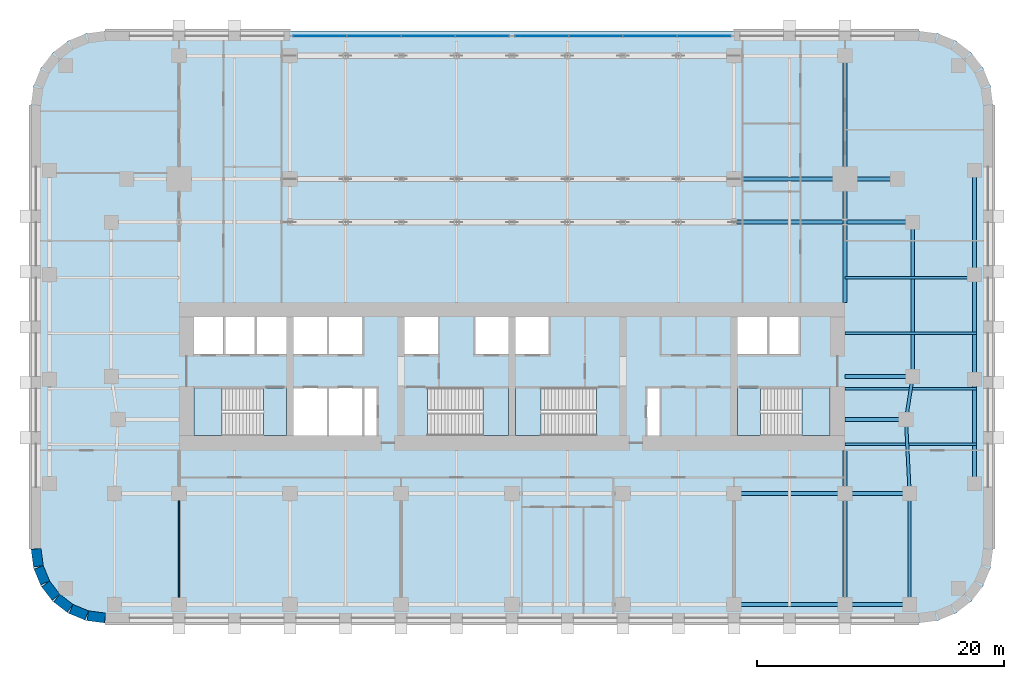
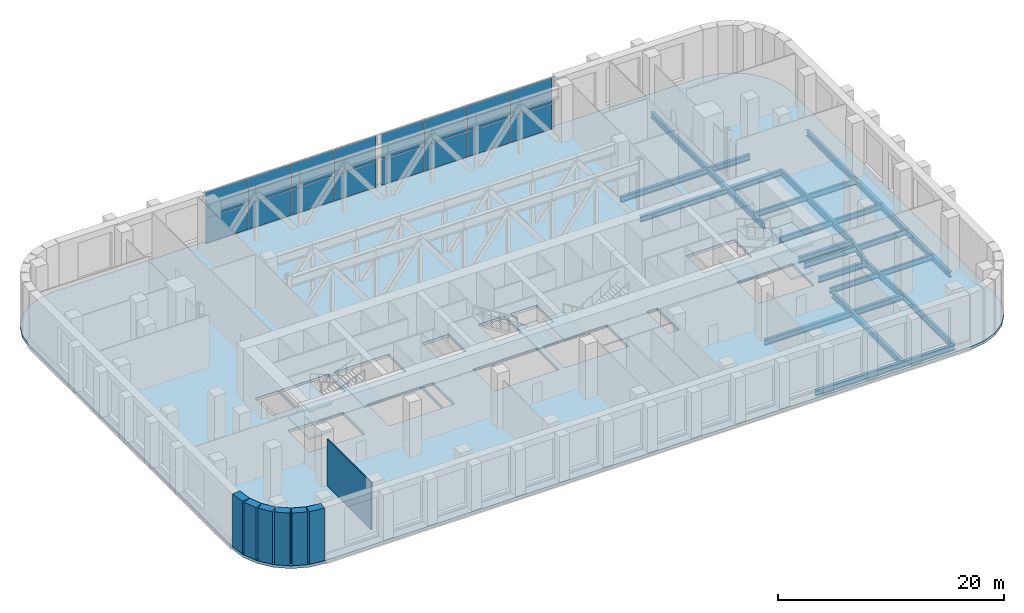
# One storey, part 4 of 13: 19 beams, 16 plates, 9 slabs, 7 walls, 6 elements without a shape of their own.
"""IFC4 building model written with IfcOpenShell, lengths in metres."""

import ifcopenshell
import ifcopenshell.guid

model = None  # the IFC model being written
_history = None  # IfcOwnerHistory: only IFC2X3 demands one
_inside = {}  # id of a spatial element -> (the spatial element, [elements in it])
_under = {}  # id of a project, library or spatial element -> (it, [spatial elements below it])
_declared = {}  # id of a project -> (the project, [libraries it declares])
_typed = {}  # id of a type object -> (the type object, [elements of that type])
_made_of = {}  # id of a material, layer set ... -> (it, [elements and type objects made of it])


def new_model(schema):
    """Start an empty IFC model of exactly this schema.

    Asked for "IFC4X3", IfcOpenShell would pick the latest addendum, in which some entities
    have other attributes; the version numbers below select the first issue.
    IFC2X3 requires an IfcOwnerHistory on every rooted entity: one is made here for all.
    """
    global model, _history
    if schema == "IFC4X3":
        model = ifcopenshell.file(schema_version=(4, 3, 0, 0))
    else:
        model = ifcopenshell.file(schema=schema)
    _inside.clear()
    _under.clear()
    _declared.clear()
    _typed.clear()
    _made_of.clear()
    _history = None
    if model.schema == "IFC2X3":
        org = make("IfcOrganization", Name="unknown")
        user = make(
            "IfcPersonAndOrganization",
            ThePerson=make("IfcPerson", FamilyName="unknown"),
            TheOrganization=org,
        )
        app = make(
            "IfcApplication",
            ApplicationDeveloper=org,
            Version="unknown",
            ApplicationFullName="unknown",
            ApplicationIdentifier="unknown",
        )
        _history = make(
            "IfcOwnerHistory",
            OwningUser=user,
            OwningApplication=app,
            ChangeAction="ADDED",
            CreationDate=0,
        )
    return model


def make(cls, **values):
    """One entity of the class cls with the attributes given. An attribute that is None is left unset."""
    return model.create_entity(
        cls, **{name: value for name, value in values.items() if value is not None}
    )


def rooted(cls, **values):
    """An entity with a GlobalId (a new one), such as an element, a storey or a relation."""
    return make(cls, GlobalId=ifcopenshell.guid.new(), OwnerHistory=_history, **values)


def si_unit(unit_type, name, prefix=None):
    """IfcSIUnit, for example si_unit("LENGTHUNIT", "METRE", prefix="MILLI")."""
    return make("IfcSIUnit", UnitType=unit_type, Prefix=prefix, Name=name)


def assignment(units):
    """IfcUnitAssignment: the units of a project."""
    return None if units is None else make("IfcUnitAssignment", Units=units)


def point(xyz):
    """IfcCartesianPoint."""
    return None if xyz is None else make("IfcCartesianPoint", Coordinates=xyz)


def direction(xyz):
    """IfcDirection."""
    return None if xyz is None else make("IfcDirection", DirectionRatios=xyz)


def frame(location, z_axis=None, x_axis=None):
    """IfcAxis2Placement3D, a coordinate frame: its origin and axes. An axis left out is left unset."""
    return make(
        "IfcAxis2Placement3D",
        Location=point(location),
        Axis=direction(z_axis),
        RefDirection=direction(x_axis),
    )


def frame_2d(location, x_axis=None):
    """IfcAxis2Placement2D, a coordinate frame in the plane: its origin and x axis."""
    return make(
        "IfcAxis2Placement2D", Location=point(location), RefDirection=direction(x_axis)
    )


def origin():
    """The frame at (0, 0, 0) with its axes left unset."""
    return frame((0.0, 0.0, 0.0))


def origin_2d():
    """The frame at (0, 0) in the plane with its x axis left unset."""
    return frame_2d((0.0, 0.0))


def place(relative_to, where):
    """IfcLocalPlacement: puts the frame where relative to a parent placement (None: the world)."""
    return make(
        "IfcLocalPlacement", PlacementRelTo=relative_to, RelativePlacement=where
    )


def context(
    kind, dimensions, precision=None, world=None, true_north=None, identifier=None
):
    """IfcGeometricRepresentationContext, for example the 3D "Model" context."""
    return make(
        "IfcGeometricRepresentationContext",
        ContextIdentifier=identifier,
        ContextType=kind,
        CoordinateSpaceDimension=dimensions,
        Precision=precision,
        WorldCoordinateSystem=world,
        TrueNorth=true_north,
    )


def subcontext(parent, identifier, kind, view, scale=None):
    """IfcGeometricRepresentationSubContext, for example "Body" below "Model"."""
    return make(
        "IfcGeometricRepresentationSubContext",
        ContextIdentifier=identifier,
        ContextType=kind,
        ParentContext=parent,
        TargetScale=scale,
        TargetView=view,
    )


def project(units=None, contexts=None):
    """IfcProject with its units and contexts."""
    return rooted(
        "IfcProject",
        Name="project",
        RepresentationContexts=contexts,
        UnitsInContext=assignment(units),
    )


def spatial(cls, under=None, at=None, **own):
    """A site, building, storey or space (cls), placed at a placement, below another one or the project."""
    s = rooted(cls, ObjectPlacement=at, **own)
    if under is not None:
        _under.setdefault(under.id(), (under, []))[1].append(s)
    return s


def polyline(points):
    """IfcPolyline through the points."""
    return make("IfcPolyline", Points=[point(p) for p in points])


def profile(cls, at=None, kind="AREA", **sizes):
    """A parametric profile (cls). Its sizes go by their IFC names, for example OverallWidth=200.0."""
    return make(cls, ProfileType=kind, Position=at, **sizes)


def rectangle(**sizes):
    """IfcRectangleProfileDef."""
    return profile("IfcRectangleProfileDef", **sizes)


def i_section(**sizes):
    """IfcIShapeProfileDef."""
    return profile("IfcIShapeProfileDef", **sizes)


def outline(outer, holes=None, kind="AREA"):
    """IfcArbitraryClosedProfileDef: a profile drawn as a closed curve; with holes, ...WithVoids."""
    if holes is None:
        return make("IfcArbitraryClosedProfileDef", ProfileType=kind, OuterCurve=outer)
    return make(
        "IfcArbitraryProfileDefWithVoids",
        ProfileType=kind,
        OuterCurve=outer,
        InnerCurves=holes,
    )


def extrude(swept, where, along, depth):
    """IfcExtrudedAreaSolid: the profile swept, set in the frame where, extruded along a direction by depth."""
    return make(
        "IfcExtrudedAreaSolid",
        SweptArea=swept,
        Position=where,
        ExtrudedDirection=direction(along),
        Depth=depth,
    )


def shape(context_of_items, identifier, shape_type, items):
    """IfcShapeRepresentation: the items that make up one representation, for example the "Body"."""
    return make(
        "IfcShapeRepresentation",
        ContextOfItems=context_of_items,
        RepresentationIdentifier=identifier,
        RepresentationType=shape_type,
        Items=items,
    )


def material(Name=None, Category=None):
    """IfcMaterial."""
    return make("IfcMaterial", Name=Name, Category=Category)


def layer(
    of_material, thickness, ventilated=None, Name=None, Category=None, Priority=None
):
    """IfcMaterialLayer: one layer of a wall or slab, of a material (None: an air gap)."""
    return make(
        "IfcMaterialLayer",
        Material=of_material,
        LayerThickness=thickness,
        IsVentilated=ventilated,
        Name=Name,
        Category=Category,
        Priority=Priority,
    )


def layer_set(layers, Name=None):
    """IfcMaterialLayerSet."""
    return make("IfcMaterialLayerSet", MaterialLayers=layers, LayerSetName=Name)


def material_profile(
    of_material, cross_section, Name=None, Category=None, Priority=None
):
    """IfcMaterialProfile: a cross section and its material."""
    return make(
        "IfcMaterialProfile",
        Name=Name,
        Material=of_material,
        Profile=cross_section,
        Priority=Priority,
        Category=Category,
    )


def profile_set(profiles, Name=None, composite=None):
    """IfcMaterialProfileSet."""
    return make(
        "IfcMaterialProfileSet",
        Name=Name,
        MaterialProfiles=profiles,
        CompositeProfile=composite,
    )


def made_of(thing, what):
    """Note that an element or type object is made of a material, layer set ...; save() writes the relation."""
    if what is not None:
        _made_of.setdefault(what.id(), (what, []))[1].append(thing)
    return thing


def type_object(cls, material=None, **own):
    """A type object (cls), such as IfcWallType, which elements share."""
    return made_of(rooted(cls, **own), material)


def element(
    cls,
    number,
    at=None,
    inside=None,
    cuts=None,
    type_object=None,
    material=None,
    context=None,
    identifier="Body",
    shape_type=None,
    held_by="IfcProductDefinitionShape",
    body=None,
    shapes=None,
    **own,
):
    """One element of the class cls, such as IfcWall. Its Tag is "e" and its number.

    at: its placement. inside: the storey or other place that contains it. cuts: it is an
    opening in that element (IfcRelVoidsElement). A single representation is given by context,
    identifier, shape_type and body (its items); several are given by shapes. held_by: the class
    of the entity that holds the representations. save() writes the other relations.
    """
    e = rooted(cls, Tag="e%d" % number, ObjectPlacement=at, **own)
    if body is not None:
        shapes = [shape(context, identifier, shape_type, body)]
    if shapes is not None:
        e.Representation = make(held_by, Representations=shapes)
    if inside is not None:
        _inside.setdefault(inside.id(), (inside, []))[1].append(e)
    if cuts is not None:
        rooted(
            "IfcRelVoidsElement", RelatingBuildingElement=cuts, RelatedOpeningElement=e
        )
    if type_object is not None:
        _typed.setdefault(type_object.id(), (type_object, []))[1].append(e)
    return made_of(e, material)


def aggregate(whole, parts):
    """IfcRelAggregates: a whole, such as a stair, and the parts it consists of."""
    return rooted("IfcRelAggregates", RelatingObject=whole, RelatedObjects=parts)


def save(model, path):
    """Write the relations noted so far, then the file.

    IfcRelAggregates (storeys below a building ...), IfcRelContainedInSpatialStructure (elements
    in a storey), IfcRelDefinesByType, IfcRelAssociatesMaterial and IfcRelDeclares: one each for
    every whole, place, type object, material and project.
    """
    for whole, parts in _under.values():
        aggregate(whole, parts)
    for where, things in _inside.values():
        rooted(
            "IfcRelContainedInSpatialStructure",
            RelatedElements=things,
            RelatingStructure=where,
        )
    for kind, things in _typed.values():
        rooted("IfcRelDefinesByType", RelatedObjects=things, RelatingType=kind)
    for what, things in _made_of.values():
        rooted("IfcRelAssociatesMaterial", RelatedObjects=things, RelatingMaterial=what)
    for by, libraries in _declared.values():
        rooted("IfcRelDeclares", RelatingContext=by, RelatedDefinitions=libraries)
    model.write(path)


model = new_model("IFC4")

# Units and contexts
model_context = context("Model", 3, precision=1e-05, world=origin(), true_north=direction((0.0, 1.0)))
body_context = subcontext(model_context, "Body", "Model", "MODEL_VIEW")
ifc_project = project(units=[si_unit("LENGTHUNIT", "METRE"), si_unit("AREAUNIT", "SQUARE_METRE"), si_unit("VOLUMEUNIT", "CUBIC_METRE"), si_unit("PLANEANGLEUNIT", "RADIAN"), si_unit("MASSUNIT", "GRAM", prefix="KILO")], contexts=[model_context])

# Site, building, storey
site_placement = place(None, origin())
site = spatial("IfcSite", under=ifc_project, at=site_placement, CompositionType="ELEMENT")
building_placement = place(site_placement, origin())
building = spatial("IfcBuilding", under=site, at=building_placement, Name="Zellij Exchange Tower", CompositionType="ELEMENT")
storey_placement = place(building_placement, frame((0.0, 0.0, 27.0)))
storey = spatial("IfcBuildingStorey", under=building, at=storey_placement, Name="L04", CompositionType="ELEMENT", Elevation=27.0)

# Beams
ifc_material_1 = material(Name="Structural steel ASTM A992 Gr 50", Category="steel")
ifc_material_profile_1 = material_profile(ifc_material_1, i_section(OverallWidth=0.22900390625, OverallDepth=0.612060546875, WebThickness=0.011962890625, FlangeThickness=0.01953125, at=origin_2d()), Name="W24x84")
ifc_profile_set_1 = profile_set([ifc_material_profile_1], Name="Structural steel ASTM A992 Gr 50")
beam_type_1 = type_object("IfcBeamType", Name="STR-BEAM W24x84", PredefinedType="BEAM", material=ifc_profile_set_1)
for number, where, z_axis, x_axis, name in (
    (1, (27.0, -13.5, -0.606201171875), (1.0, 0.0, 0.0), (0.0, 1.0, 0.0), "B6"),
    (2, (27.0, -9.0, -0.606201171875), (1.0, 0.0, 0.0), (0.0, 1.0, 0.0), "B6"),
    (3, (27.0, -4.5, -0.606201171875), (1.0, 0.0, 0.0), (0.0, 1.0, 0.0), "B6"),
    (4, (27.0, 0.0, -0.606201171875), (1.0, 0.0, 0.0), (0.0, 1.0, 0.0), "B6"),
):
    element("IfcBeam", number, at=place(storey_placement, frame(where, z_axis=z_axis, x_axis=x_axis)), inside=storey, type_object=beam_type_1, Name=name, PredefinedType="BEAM", context=body_context, shape_type="SweptSolid", body=[
        extrude(i_section(OverallWidth=0.22900390625, OverallDepth=0.612060546875, WebThickness=0.011962890625, FlangeThickness=0.01953125, at=origin_2d()), origin(), (0.0, 0.0, 1.0), 10.66259765625),
    ])
ifc_material_profile_2 = material_profile(ifc_material_1, i_section(OverallWidth=0.25390625, OverallDepth=0.67822265625, WebThickness=0.01171875, FlangeThickness=0.016357421875, at=origin_2d()), Name="W27x84")
ifc_profile_set_2 = profile_set([ifc_material_profile_2], Name="Structural steel ASTM A992 Gr 50")
beam_type_2 = type_object("IfcBeamType", Name="STR-EDGE GIRDER W27x84", PredefinedType="BEAM", material=ifc_profile_set_2)
beam_1_placement = place(storey_placement, frame((32.25, -26.5, -0.63916015625), z_axis=(0.0, 1.0, 0.0), x_axis=(-1.0, 0.0, 0.0)))
element("IfcBeam", 5, at=beam_1_placement, inside=storey, type_object=beam_type_2, Name="EB7", PredefinedType="BEAM", context=body_context, shape_type="SweptSolid", body=[
    extrude(i_section(OverallWidth=0.25390625, OverallDepth=0.67822265625, WebThickness=0.01171875, FlangeThickness=0.016357421875, at=origin_2d()), origin(), (0.0, 0.0, 1.0), 9.0),
])
beam_2_placement = place(storey_placement, frame((32.25, -17.5, -0.63916015625), z_axis=(-0.049945724537, 0.998751933465, 0.0), x_axis=(-0.998751933465, -0.049945724537, 0.0)))
element("IfcBeam", 6, at=beam_2_placement, inside=storey, type_object=beam_type_2, Name="EB7", PredefinedType="BEAM", context=body_context, shape_type="SweptSolid", body=[
    extrude(i_section(OverallWidth=0.25390625, OverallDepth=0.67822265625, WebThickness=0.01171875, FlangeThickness=0.016357421875, at=origin_2d()), origin(), (0.0, 0.0, 1.0), 6.007568359375),
])
beam_3_placement = place(storey_placement, frame((31.949951171875, -11.5, -0.63916015625), z_axis=(0.155251283593, 0.987875011802, 0.0), x_axis=(-0.987875011802, 0.155251283593, 0.0)))
element("IfcBeam", 7, at=beam_3_placement, inside=storey, type_object=beam_type_2, Name="EB7", PredefinedType="BEAM", context=body_context, shape_type="SweptSolid", body=[
    extrude(i_section(OverallWidth=0.25390625, OverallDepth=0.67822265625, WebThickness=0.01171875, FlangeThickness=0.016357421875, at=origin_2d()), origin(), (0.0, 0.0, 1.0), 3.54296875),
])
beam_4_placement = place(storey_placement, frame((32.5, -8.0, -0.63916015625), z_axis=(0.0, 1.0, 0.0), x_axis=(-1.0, 0.0, 0.0)))
element("IfcBeam", 8, at=beam_4_placement, inside=storey, type_object=beam_type_2, Name="EB7", PredefinedType="BEAM", context=body_context, shape_type="SweptSolid", body=[
    extrude(i_section(OverallWidth=0.25390625, OverallDepth=0.67822265625, WebThickness=0.01171875, FlangeThickness=0.016357421875, at=origin_2d()), origin(), (0.0, 0.0, 1.0), 12.5),
])
ifc_material_profile_3 = material_profile(ifc_material_1, i_section(OverallWidth=0.3251953125, OverallDepth=0.612060546875, WebThickness=0.0126953125, FlangeThickness=0.01904296875, at=origin_2d()), Name="W24x104")
ifc_profile_set_3 = profile_set([ifc_material_profile_3], Name="Structural steel ASTM A992 Gr 50")
beam_type_3 = type_object("IfcBeamType", Name="STR-GIRDER W24x104", PredefinedType="BEAM", material=ifc_profile_set_3)
for number, where, z_axis, x_axis, name in (
    (9, (18.0, -26.5, -0.606201171875), (1.0, 0.0, 0.0), (0.0, 1.0, 0.0), "G3"),
    (10, (18.0, -17.5, -0.606201171875), (1.0, 0.0, 0.0), (0.0, 1.0, 0.0), "G3"),
):
    element("IfcBeam", number, at=place(storey_placement, frame(where, z_axis=z_axis, x_axis=x_axis)), inside=storey, type_object=beam_type_3, Name=name, PredefinedType="BEAM", context=body_context, shape_type="SweptSolid", body=[
        extrude(i_section(OverallWidth=0.3251953125, OverallDepth=0.612060546875, WebThickness=0.0126953125, FlangeThickness=0.01904296875, at=origin_2d()), origin(), (0.0, 0.0, 1.0), 14.25),
    ])
beam_5_placement = place(storey_placement, frame((27.0, -11.5, -0.606201171875), z_axis=(1.0, 0.0, 0.0), x_axis=(0.0, 1.0, 0.0)))
element("IfcBeam", 11, at=beam_5_placement, inside=storey, type_object=beam_type_3, Name="G3", PredefinedType="BEAM", context=body_context, shape_type="SweptSolid", body=[
    extrude(i_section(OverallWidth=0.3251953125, OverallDepth=0.612060546875, WebThickness=0.0126953125, FlangeThickness=0.01904296875, at=origin_2d()), origin(), (0.0, 0.0, 1.0), 4.949951171875),
])
beam_6_placement = place(storey_placement, frame((27.0, -8.0, -0.606201171875), z_axis=(1.0, 0.0, 0.0), x_axis=(0.0, 1.0, 0.0)))
element("IfcBeam", 12, at=beam_6_placement, inside=storey, type_object=beam_type_3, Name="G3", PredefinedType="BEAM", context=body_context, shape_type="SweptSolid", body=[
    extrude(i_section(OverallWidth=0.3251953125, OverallDepth=0.612060546875, WebThickness=0.0126953125, FlangeThickness=0.01904296875, at=origin_2d()), origin(), (0.0, 0.0, 1.0), 5.5),
])
beam_7_placement = place(storey_placement, frame((18.0, 4.5, -0.606201171875), z_axis=(1.0, 0.0, 0.0), x_axis=(0.0, 1.0, 0.0)))
element("IfcBeam", 13, at=beam_7_placement, inside=storey, type_object=beam_type_3, Name="G3", PredefinedType="BEAM", context=body_context, shape_type="SweptSolid", body=[
    extrude(i_section(OverallWidth=0.3251953125, OverallDepth=0.612060546875, WebThickness=0.0126953125, FlangeThickness=0.01904296875, at=origin_2d()), origin(), (0.0, 0.0, 1.0), 14.5),
])
beam_8_placement = place(storey_placement, frame((18.0, 8.0, -0.606201171875), z_axis=(1.0, 0.0, 0.0), x_axis=(0.0, 1.0, 0.0)))
element("IfcBeam", 14, at=beam_8_placement, inside=storey, type_object=beam_type_3, Name="G3", PredefinedType="BEAM", context=body_context, shape_type="SweptSolid", body=[
    extrude(i_section(OverallWidth=0.3251953125, OverallDepth=0.612060546875, WebThickness=0.0126953125, FlangeThickness=0.01904296875, at=origin_2d()), origin(), (0.0, 0.0, 1.0), 13.25),
])
beam_9_placement = place(storey_placement, frame((27.0, -26.5, -0.606201171875), z_axis=(0.0, 1.0, 0.0), x_axis=(-1.0, 0.0, 0.0)))
element("IfcBeam", 15, at=beam_9_placement, inside=storey, type_object=beam_type_3, Name="G3", PredefinedType="BEAM", context=body_context, shape_type="SweptSolid", body=[
    extrude(i_section(OverallWidth=0.3251953125, OverallDepth=0.612060546875, WebThickness=0.0126953125, FlangeThickness=0.01904296875, at=origin_2d()), origin(), (0.0, 0.0, 1.0), 12.5),
])
for number, where, z_axis, x_axis, name in (
    (16, (27.0, -2.0, -0.606201171875), (0.0, 1.0, 0.0), (-1.0, 0.0, 0.0), "G3"),
    (17, (27.0, 8.0, -0.606201171875), (0.0, 1.0, 0.0), (-1.0, 0.0, 0.0), "G3"),
):
    element("IfcBeam", number, at=place(storey_placement, frame(where, z_axis=z_axis, x_axis=x_axis)), inside=storey, type_object=beam_type_3, Name=name, PredefinedType="BEAM", context=body_context, shape_type="SweptSolid", body=[
        extrude(i_section(OverallWidth=0.3251953125, OverallDepth=0.612060546875, WebThickness=0.0126953125, FlangeThickness=0.01904296875, at=origin_2d()), origin(), (0.0, 0.0, 1.0), 10.0),
    ])
beam_10_placement = place(storey_placement, frame((37.5, -16.708984375, -0.606201171875), z_axis=(0.0, 1.0, 0.0), x_axis=(-1.0, 0.0, 0.0)))
element("IfcBeam", 18, at=beam_10_placement, inside=storey, type_object=beam_type_3, Name="G3", PredefinedType="BEAM", context=body_context, shape_type="SweptSolid", body=[
    extrude(i_section(OverallWidth=0.3251953125, OverallDepth=0.612060546875, WebThickness=0.0126953125, FlangeThickness=0.01904296875, at=origin_2d()), origin(), (0.0, 0.0, 1.0), 16.945068359375),
])
beam_11_placement = place(storey_placement, frame((37.5, 0.236083984375, -0.606201171875), z_axis=(0.0, 1.0, 0.0), x_axis=(-1.0, 0.0, 0.0)))
element("IfcBeam", 19, at=beam_11_placement, inside=storey, type_object=beam_type_3, Name="G3", PredefinedType="BEAM", context=body_context, shape_type="SweptSolid", body=[
    extrude(i_section(OverallWidth=0.3251953125, OverallDepth=0.612060546875, WebThickness=0.0126953125, FlangeThickness=0.01904296875, at=origin_2d()), origin(), (0.0, 0.0, 1.0), 8.472900390625),
])

# Stair, slabs
ifc_material_2 = material(Name="Concrete C40/50", Category="concrete")
stair_type = type_object("IfcStairType", Name="CORE-ST exit stair 1850 wide", PredefinedType="HALF_TURN_STAIR", material=ifc_material_2)
stair_1_placement = place(storey_placement, origin())
stair_1 = element("IfcStair", 20, at=stair_1_placement, inside=storey, type_object=stair_type, Name="L04 exit stair ST1", PredefinedType="HALF_TURN_STAIR")
ifc_layer_1 = layer(ifc_material_2, 0.199951171875)
ifc_layer_set_1 = layer_set([ifc_layer_1], Name="Concrete C40/50")
slab_type_1 = type_object("IfcSlabType", Name="CORE-SL stair landing 200", PredefinedType="LANDING", material=ifc_layer_set_1)
slab_1_placement = place(storey_placement, frame((0.0, 0.0, 1.300048828125)))
slab_1 = element("IfcSlab", 21, at=slab_1_placement, type_object=slab_type_1, Name="ST1 landing 1", PredefinedType="LANDING", context=body_context, shape_type="SweptSolid", body=[
    extrude(outline(polyline([(-23.510009765625, -8.949951171875), (-25.800048828125, -8.949951171875), (-25.800048828125, -12.800048828125), (-23.510009765625, -12.800048828125), (-23.510009765625, -8.949951171875)])), origin(), (0.0, 0.0, 1.0), 0.199951171875),
])
slab_2_placement = place(storey_placement, frame((0.0, 0.0, 2.800048828125)))
slab_2 = element("IfcSlab", 22, at=slab_2_placement, type_object=slab_type_1, Name="ST1 landing 2", PredefinedType="LANDING", context=body_context, shape_type="SweptSolid", body=[
    extrude(outline(polyline([(-18.300048828125, -8.949951171875), (-20.14990234375, -8.949951171875), (-20.14990234375, -12.800048828125), (-18.300048828125, -12.800048828125), (-18.300048828125, -8.949951171875)])), origin(), (0.0, 0.0, 1.0), 0.199951171875),
])
slab_3_placement = place(storey_placement, frame((0.0, 0.0, 4.300048828125)))
slab_3 = element("IfcSlab", 23, at=slab_3_placement, type_object=slab_type_1, Name="ST1 landing 3", PredefinedType="LANDING", context=body_context, shape_type="SweptSolid", body=[
    extrude(outline(polyline([(-23.510009765625, -8.949951171875), (-25.800048828125, -8.949951171875), (-25.800048828125, -12.800048828125), (-23.510009765625, -12.800048828125), (-23.510009765625, -8.949951171875)])), origin(), (0.0, 0.0, 1.0), 0.199951171875),
])
aggregate(stair_1, [slab_1, slab_2, slab_3])

# Stair, slab
stair_2_placement = place(storey_placement, origin())
stair_2 = element("IfcStair", 24, at=stair_2_placement, inside=storey, type_object=stair_type, Name="L04 exit stair ST2", PredefinedType="HALF_TURN_STAIR")
slab_4_placement = place(storey_placement, frame((0.0, 0.0, 2.800048828125)))
slab_4 = element("IfcSlab", 25, at=slab_4_placement, type_object=slab_type_1, Name="ST2 landing 1", PredefinedType="LANDING", context=body_context, shape_type="SweptSolid", body=[
    extrude(outline(polyline([(-2.3701171875, -12.800048828125), (-0.300048828125, -12.800048828125), (-0.300048828125, -8.949951171875), (-2.3701171875, -8.949951171875), (-2.3701171875, -12.800048828125)])), origin(), (0.0, 0.0, 1.0), 0.199951171875),
])
aggregate(stair_2, [slab_4])

stair_3_placement = place(storey_placement, origin())
stair_3 = element("IfcStair", 26, at=stair_3_placement, inside=storey, type_object=stair_type, Name="L04 exit stair ST3", PredefinedType="HALF_TURN_STAIR")
slab_5_placement = place(storey_placement, frame((0.0, 0.0, 2.800048828125)))
slab_5 = element("IfcSlab", 27, at=slab_5_placement, type_object=slab_type_1, Name="ST3 landing 1", PredefinedType="LANDING", context=body_context, shape_type="SweptSolid", body=[
    extrude(outline(polyline([(2.3701171875, -8.949951171875), (0.300048828125, -8.949951171875), (0.300048828125, -12.800048828125), (2.3701171875, -12.800048828125), (2.3701171875, -8.949951171875)])), origin(), (0.0, 0.0, 1.0), 0.199951171875),
])
aggregate(stair_3, [slab_5])

# Stair, slabs
stair_4_placement = place(storey_placement, origin())
stair_4 = element("IfcStair", 28, at=stair_4_placement, inside=storey, type_object=stair_type, Name="L04 exit stair ST4", PredefinedType="HALF_TURN_STAIR")
slab_6_placement = place(storey_placement, frame((0.0, 0.0, 1.300048828125)))
slab_6 = element("IfcSlab", 29, at=slab_6_placement, type_object=slab_type_1, Name="ST4 landing 1", PredefinedType="LANDING", context=body_context, shape_type="SweptSolid", body=[
    extrude(outline(polyline([(23.510009765625, -12.800048828125), (25.800048828125, -12.800048828125), (25.800048828125, -8.949951171875), (23.510009765625, -8.949951171875), (23.510009765625, -12.800048828125)])), origin(), (0.0, 0.0, 1.0), 0.199951171875),
])
slab_7_placement = place(storey_placement, frame((0.0, 0.0, 2.800048828125)))
slab_7 = element("IfcSlab", 30, at=slab_7_placement, type_object=slab_type_1, Name="ST4 landing 2", PredefinedType="LANDING", context=body_context, shape_type="SweptSolid", body=[
    extrude(outline(polyline([(18.300048828125, -12.800048828125), (20.14990234375, -12.800048828125), (20.14990234375, -8.949951171875), (18.300048828125, -8.949951171875), (18.300048828125, -12.800048828125)])), origin(), (0.0, 0.0, 1.0), 0.199951171875),
])
slab_8_placement = place(storey_placement, frame((0.0, 0.0, 4.300048828125)))
slab_8 = element("IfcSlab", 31, at=slab_8_placement, type_object=slab_type_1, Name="ST4 landing 3", PredefinedType="LANDING", context=body_context, shape_type="SweptSolid", body=[
    extrude(outline(polyline([(23.510009765625, -12.800048828125), (25.800048828125, -12.800048828125), (25.800048828125, -8.949951171875), (23.510009765625, -8.949951171875), (23.510009765625, -12.800048828125)])), origin(), (0.0, 0.0, 1.0), 0.199951171875),
])
aggregate(stair_4, [slab_6, slab_7, slab_8])

# Curtain wall, plates
ifc_material_3 = material(Name="Aluminium frame, clear insulating glass", Category="aluminium")
curtain_wall_type = type_object("IfcCurtainWallType", Name="ENV-CW3 Exchange-hall glazing", PredefinedType="NOTDEFINED", material=ifc_material_3)
curtain_wall_1_placement = place(storey_placement, origin())
curtain_wall_1 = element("IfcCurtainWall", 32, at=curtain_wall_1_placement, inside=storey, type_object=curtain_wall_type, Name="cw.L04.14b", PredefinedType="NOTDEFINED")
ifc_material_4 = material(Name="Aluminium louvre", Category="aluminium")
ifc_layer_2 = layer(ifc_material_4, 0.0439453125)
ifc_layer_set_2 = layer_set([ifc_layer_2], Name="Aluminium louvre")
plate_type = type_object("IfcPlateType", Name="ENV-CW3L Louvred panel 44", PredefinedType="CURTAIN_PANEL", material=ifc_layer_set_2)
plate_1_placement = place(storey_placement, frame((15.580078125, 19.60009765625, 0.080078125), z_axis=(0.0, 0.0, 1.0), x_axis=(-1.0, 0.0, 0.0)))
plate_1 = element("IfcPlate", 33, at=plate_1_placement, type_object=plate_type, Name="CW3 panel 1.1", PredefinedType="CURTAIN_PANEL", context=body_context, shape_type="SweptSolid", body=[
    extrude(rectangle(XDim=4.280029296875, YDim=0.0439453125, at=origin_2d()), origin(), (0.0, 0.0, 1.0), 2.72998046875),
])
plate_2_placement = place(storey_placement, frame((15.580078125, 19.60009765625, 2.889892578125), z_axis=(0.0, 0.0, 1.0), x_axis=(-1.0, 0.0, 0.0)))
plate_2 = element("IfcPlate", 34, at=plate_2_placement, type_object=plate_type, Name="CW3 panel 1.2", PredefinedType="CURTAIN_PANEL", context=body_context, shape_type="SweptSolid", body=[
    extrude(rectangle(XDim=4.280029296875, YDim=0.0439453125, at=origin_2d()), origin(), (0.0, 0.0, 1.0), 2.72998046875),
])
plate_3_placement = place(storey_placement, frame((11.199951171875, 19.60009765625, 0.080078125), z_axis=(0.0, 0.0, 1.0), x_axis=(-1.0, 0.0, 0.0)))
plate_3 = element("IfcPlate", 35, at=plate_3_placement, type_object=plate_type, Name="CW3 panel 2.1", PredefinedType="CURTAIN_PANEL", context=body_context, shape_type="SweptSolid", body=[
    extrude(rectangle(XDim=4.320068359375, YDim=0.0439453125, at=origin_2d()), origin(), (0.0, 0.0, 1.0), 2.72998046875),
])
plate_4_placement = place(storey_placement, frame((11.199951171875, 19.60009765625, 2.889892578125), z_axis=(0.0, 0.0, 1.0), x_axis=(-1.0, 0.0, 0.0)))
plate_4 = element("IfcPlate", 36, at=plate_4_placement, type_object=plate_type, Name="CW3 panel 2.2", PredefinedType="CURTAIN_PANEL", context=body_context, shape_type="SweptSolid", body=[
    extrude(rectangle(XDim=4.320068359375, YDim=0.0439453125, at=origin_2d()), origin(), (0.0, 0.0, 1.0), 2.72998046875),
])
plate_5_placement = place(storey_placement, frame((6.800048828125, 19.60009765625, 0.080078125), z_axis=(0.0, 0.0, 1.0), x_axis=(-1.0, 0.0, 0.0)))
plate_5 = element("IfcPlate", 37, at=plate_5_placement, type_object=plate_type, Name="CW3 panel 3.1", PredefinedType="CURTAIN_PANEL", context=body_context, shape_type="SweptSolid", body=[
    extrude(rectangle(XDim=4.320068359375, YDim=0.0439453125, at=origin_2d()), origin(), (0.0, 0.0, 1.0), 2.72998046875),
])
plate_6_placement = place(storey_placement, frame((6.800048828125, 19.60009765625, 2.889892578125), z_axis=(0.0, 0.0, 1.0), x_axis=(-1.0, 0.0, 0.0)))
plate_6 = element("IfcPlate", 38, at=plate_6_placement, type_object=plate_type, Name="CW3 panel 3.2", PredefinedType="CURTAIN_PANEL", context=body_context, shape_type="SweptSolid", body=[
    extrude(rectangle(XDim=4.320068359375, YDim=0.0439453125, at=origin_2d()), origin(), (0.0, 0.0, 1.0), 2.72998046875),
])
plate_7_placement = place(storey_placement, frame((2.419921875, 19.60009765625, 0.080078125), z_axis=(0.0, 0.0, 1.0), x_axis=(-1.0, 0.0, 0.0)))
plate_7 = element("IfcPlate", 39, at=plate_7_placement, type_object=plate_type, Name="CW3 panel 4.1", PredefinedType="CURTAIN_PANEL", context=body_context, shape_type="SweptSolid", body=[
    extrude(rectangle(XDim=4.280029296875, YDim=0.0439453125, at=origin_2d()), origin(), (0.0, 0.0, 1.0), 2.72998046875),
])
plate_8_placement = place(storey_placement, frame((2.419921875, 19.60009765625, 2.889892578125), z_axis=(0.0, 0.0, 1.0), x_axis=(-1.0, 0.0, 0.0)))
plate_8 = element("IfcPlate", 40, at=plate_8_placement, type_object=plate_type, Name="CW3 panel 4.2", PredefinedType="CURTAIN_PANEL", context=body_context, shape_type="SweptSolid", body=[
    extrude(rectangle(XDim=4.280029296875, YDim=0.0439453125, at=origin_2d()), origin(), (0.0, 0.0, 1.0), 2.72998046875),
])
aggregate(curtain_wall_1, [plate_1, plate_2, plate_3, plate_4, plate_5, plate_6, plate_7, plate_8])

curtain_wall_2_placement = place(storey_placement, origin())
curtain_wall_2 = element("IfcCurtainWall", 41, at=curtain_wall_2_placement, inside=storey, type_object=curtain_wall_type, Name="cw.L04.14c", PredefinedType="NOTDEFINED")
plate_9_placement = place(storey_placement, frame((-2.419921875, 19.60009765625, 0.080078125), z_axis=(0.0, 0.0, 1.0), x_axis=(-1.0, 0.0, 0.0)))
plate_9 = element("IfcPlate", 42, at=plate_9_placement, type_object=plate_type, Name="CW3 panel 1.1", PredefinedType="CURTAIN_PANEL", context=body_context, shape_type="SweptSolid", body=[
    extrude(rectangle(XDim=4.280029296875, YDim=0.0439453125, at=origin_2d()), origin(), (0.0, 0.0, 1.0), 2.72998046875),
])
plate_10_placement = place(storey_placement, frame((-2.419921875, 19.60009765625, 2.889892578125), z_axis=(0.0, 0.0, 1.0), x_axis=(-1.0, 0.0, 0.0)))
plate_10 = element("IfcPlate", 43, at=plate_10_placement, type_object=plate_type, Name="CW3 panel 1.2", PredefinedType="CURTAIN_PANEL", context=body_context, shape_type="SweptSolid", body=[
    extrude(rectangle(XDim=4.280029296875, YDim=0.0439453125, at=origin_2d()), origin(), (0.0, 0.0, 1.0), 2.72998046875),
])
plate_11_placement = place(storey_placement, frame((-6.800048828125, 19.60009765625, 0.080078125), z_axis=(0.0, 0.0, 1.0), x_axis=(-1.0, 0.0, 0.0)))
plate_11 = element("IfcPlate", 44, at=plate_11_placement, type_object=plate_type, Name="CW3 panel 2.1", PredefinedType="CURTAIN_PANEL", context=body_context, shape_type="SweptSolid", body=[
    extrude(rectangle(XDim=4.320068359375, YDim=0.0439453125, at=origin_2d()), origin(), (0.0, 0.0, 1.0), 2.72998046875),
])
plate_12_placement = place(storey_placement, frame((-6.800048828125, 19.60009765625, 2.889892578125), z_axis=(0.0, 0.0, 1.0), x_axis=(-1.0, 0.0, 0.0)))
plate_12 = element("IfcPlate", 45, at=plate_12_placement, type_object=plate_type, Name="CW3 panel 2.2", PredefinedType="CURTAIN_PANEL", context=body_context, shape_type="SweptSolid", body=[
    extrude(rectangle(XDim=4.320068359375, YDim=0.0439453125, at=origin_2d()), origin(), (0.0, 0.0, 1.0), 2.72998046875),
])
plate_13_placement = place(storey_placement, frame((-11.199951171875, 19.60009765625, 0.080078125), z_axis=(0.0, 0.0, 1.0), x_axis=(-1.0, 0.0, 0.0)))
plate_13 = element("IfcPlate", 46, at=plate_13_placement, type_object=plate_type, Name="CW3 panel 3.1", PredefinedType="CURTAIN_PANEL", context=body_context, shape_type="SweptSolid", body=[
    extrude(rectangle(XDim=4.320068359375, YDim=0.0439453125, at=origin_2d()), origin(), (0.0, 0.0, 1.0), 2.72998046875),
])
plate_14_placement = place(storey_placement, frame((-11.199951171875, 19.60009765625, 2.889892578125), z_axis=(0.0, 0.0, 1.0), x_axis=(-1.0, 0.0, 0.0)))
plate_14 = element("IfcPlate", 47, at=plate_14_placement, type_object=plate_type, Name="CW3 panel 3.2", PredefinedType="CURTAIN_PANEL", context=body_context, shape_type="SweptSolid", body=[
    extrude(rectangle(XDim=4.320068359375, YDim=0.0439453125, at=origin_2d()), origin(), (0.0, 0.0, 1.0), 2.72998046875),
])
plate_15_placement = place(storey_placement, frame((-15.580078125, 19.60009765625, 0.080078125), z_axis=(0.0, 0.0, 1.0), x_axis=(-1.0, 0.0, 0.0)))
plate_15 = element("IfcPlate", 48, at=plate_15_placement, type_object=plate_type, Name="CW3 panel 4.1", PredefinedType="CURTAIN_PANEL", context=body_context, shape_type="SweptSolid", body=[
    extrude(rectangle(XDim=4.280029296875, YDim=0.0439453125, at=origin_2d()), origin(), (0.0, 0.0, 1.0), 2.72998046875),
])
plate_16_placement = place(storey_placement, frame((-15.580078125, 19.60009765625, 2.889892578125), z_axis=(0.0, 0.0, 1.0), x_axis=(-1.0, 0.0, 0.0)))
plate_16 = element("IfcPlate", 49, at=plate_16_placement, type_object=plate_type, Name="CW3 panel 4.2", PredefinedType="CURTAIN_PANEL", context=body_context, shape_type="SweptSolid", body=[
    extrude(rectangle(XDim=4.280029296875, YDim=0.0439453125, at=origin_2d()), origin(), (0.0, 0.0, 1.0), 2.72998046875),
])
aggregate(curtain_wall_2, [plate_9, plate_10, plate_11, plate_12, plate_13, plate_14, plate_15, plate_16])

# Slab
ifc_material_5 = material(Name="Concrete C50/60", Category="concrete")
ifc_layer_3 = layer(ifc_material_5, 0.300048828125)
ifc_layer_set_3 = layer_set([ifc_layer_3], Name="Concrete C50/60")
slab_type_2 = type_object("IfcSlabType", Name="STR-FLOOR SLAB 300 C50/60", PredefinedType="FLOOR", material=ifc_layer_set_3)
slab_9_placement = place(storey_placement, frame((0.0, 0.0, -0.300048828125)))
element("IfcSlab", 50, at=slab_9_placement, inside=storey, type_object=slab_type_2, Name="Floor L04", PredefinedType="FLOOR", context=body_context, shape_type="SweptSolid", body=[
    extrude(outline(polyline([(-33.0, -28.0), (-34.552978515625, -27.795654296875), (-36.0, -27.1962890625), (-37.24267578125, -26.24267578125), (-38.1962890625, -25.0), (-38.795654296875, -23.552978515625), (-39.0, -22.0), (-39.0, 14.0), (-38.795654296875, 15.552978515625), (-38.1962890625, 17.0), (-37.24267578125, 18.24267578125), (-36.0, 19.1962890625), (-34.552978515625, 19.795654296875), (-33.0, 20.0), (33.0, 20.0), (34.552978515625, 19.795654296875), (36.0, 19.1962890625), (37.24267578125, 18.24267578125), (38.1962890625, 17.0), (38.795654296875, 15.552978515625), (39.0, 14.0), (39.0, -22.0), (38.795654296875, -23.552978515625), (38.1962890625, -25.0), (37.24267578125, -26.24267578125), (36.0, -27.1962890625), (34.552978515625, -27.795654296875), (33.0, -28.0), (-33.0, -28.0)]), holes=[polyline([(-25.800048828125, -8.949951171875), (-25.800048828125, -12.800048828125), (-20.153076171875, -12.800048828125), (-20.153076171875, -8.949951171875), (-25.800048828125, -8.949951171875)]), polyline([(-12.14990234375, -8.949951171875), (-17.699951171875, -8.949951171875), (-17.699951171875, -12.800048828125), (-12.14990234375, -12.800048828125), (-12.14990234375, -8.949951171875)]), polyline([(-10.949951171875, -8.949951171875), (-12.0, -8.949951171875), (-12.0, -12.800048828125), (-10.949951171875, -12.800048828125), (-10.949951171875, -8.949951171875)]), polyline([(-23.39990234375, -3.199951171875), (-25.800048828125, -3.199951171875), (-25.800048828125, -6.22509765625), (-23.39990234375, -6.22509765625), (-23.39990234375, -3.199951171875)]), polyline([(-18.300048828125, -3.199951171875), (-23.25, -3.199951171875), (-23.25, -6.22509765625), (-18.300048828125, -6.22509765625), (-18.300048828125, -3.199951171875)]), polyline([(-12.14990234375, -3.199951171875), (-17.699951171875, -3.199951171875), (-17.699951171875, -6.22509765625), (-12.14990234375, -6.22509765625), (-12.14990234375, -3.199951171875)]), polyline([(-6.0, -3.199951171875), (-8.699951171875, -3.199951171875), (-8.699951171875, -6.22509765625), (-6.0, -6.22509765625), (-6.0, -3.199951171875)]), polyline([(-6.846923828125, -8.949951171875), (-6.846923828125, -12.800048828125), (-0.300048828125, -12.800048828125), (-0.300048828125, -8.949951171875), (-6.846923828125, -8.949951171875)]), polyline([(6.846923828125, -8.949951171875), (0.300048828125, -8.949951171875), (0.300048828125, -12.800048828125), (6.846923828125, -12.800048828125), (6.846923828125, -8.949951171875)]), polyline([(12.0, -8.949951171875), (10.949951171875, -8.949951171875), (10.949951171875, -12.800048828125), (12.0, -12.800048828125), (12.0, -8.949951171875)]), polyline([(25.800048828125, -8.949951171875), (20.153076171875, -8.949951171875), (20.153076171875, -12.800048828125), (25.800048828125, -12.800048828125), (25.800048828125, -8.949951171875)]), polyline([(-0.300048828125, -3.199951171875), (-3.0, -3.199951171875), (-3.0, -6.22509765625), (-0.300048828125, -6.22509765625), (-0.300048828125, -3.199951171875)]), polyline([(3.0, -3.199951171875), (0.300048828125, -3.199951171875), (0.300048828125, -6.22509765625), (3.0, -6.22509765625), (3.0, -3.199951171875)]), polyline([(23.25, -3.199951171875), (18.300048828125, -3.199951171875), (18.300048828125, -6.22509765625), (23.25, -6.22509765625), (23.25, -3.199951171875)])]), origin(), (0.0, 0.0, 1.0), 0.300048828125),
])

# Walls
ifc_material_6 = material(Name="Precast concrete C40/50", Category="concrete")
ifc_layer_4 = layer(ifc_material_6, 0.800048828125)
ifc_layer_set_4 = layer_set([ifc_layer_4], Name="Precast concrete C40/50")
wall_type_1 = type_object("IfcWallType", Name="ENV-EW1 Precast stone-piered wall 800", PredefinedType="SOLIDWALL", material=ifc_layer_set_4)
wall_1_placement = place(storey_placement, frame((-38.5966796875, -21.999755859375, 0.0), z_axis=(0.0, 0.0, 1.0), x_axis=(0.130517283865, -0.99144603414, 0.0)))
element("IfcWall", 51, at=wall_1_placement, inside=storey, type_object=wall_type_1, Name="fac.L04.22", PredefinedType="SOLIDWALL", context=body_context, shape_type="SweptSolid", body=[
    extrude(rectangle(XDim=1.408447265625, YDim=0.800048828125, at=frame_2d((0.7041015625, 0.0))), origin(), (0.0, 0.0, 1.0), 5.699951171875),
])
wall_2_placement = place(storey_placement, frame((-38.3857421875, -23.497314453125, 0.0), z_axis=(0.0, 0.0, 1.0), x_axis=(0.38276009378, -0.923847774587, 0.0)))
element("IfcWall", 52, at=wall_2_placement, inside=storey, type_object=wall_type_1, Name="fac.L04.23", PredefinedType="SOLIDWALL", context=body_context, shape_type="SweptSolid", body=[
    extrude(rectangle(XDim=1.35546875, YDim=0.800048828125, at=frame_2d((0.677734375, 0.0))), origin(), (0.0, 0.0, 1.0), 5.699951171875),
])
for number, where, z_axis, x_axis, name in (
    (53, (-37.814697265625, -24.840087890625, 0.0), (0.0, 0.0, 1.0), (0.608866226366, -0.793272915452, 0.0), "fac.L04.24"),
    (54, (-36.91552734375, -25.9892578125, 0.0), (0.0, 0.0, 1.0), (0.793272915452, -0.608866226366, 0.0), "fac.L04.25"),
):
    element("IfcWall", number, at=place(storey_placement, frame(where, z_axis=z_axis, x_axis=x_axis)), inside=storey, type_object=wall_type_1, Name=name, PredefinedType="SOLIDWALL", context=body_context, shape_type="SweptSolid", body=[
        extrude(rectangle(XDim=1.355712890625, YDim=0.800048828125, at=frame_2d((0.677734375, 0.0))), origin(), (0.0, 0.0, 1.0), 5.699951171875),
    ])
wall_3_placement = place(storey_placement, frame((-35.74951171875, -26.866943359375, 0.0), z_axis=(0.0, 0.0, 1.0), x_axis=(0.923847774587, -0.38276009378, 0.0)))
element("IfcWall", 55, at=wall_3_placement, inside=storey, type_object=wall_type_1, Name="fac.L04.26", PredefinedType="SOLIDWALL", context=body_context, shape_type="SweptSolid", body=[
    extrude(rectangle(XDim=1.35546875, YDim=0.800048828125, at=frame_2d((0.677734375, 0.0))), origin(), (0.0, 0.0, 1.0), 5.699951171875),
])
wall_4_placement = place(storey_placement, frame((-34.396240234375, -27.412841796875, 0.0), z_axis=(0.0, 0.0, 1.0), x_axis=(0.99144603414, -0.130517283865, 0.0)))
element("IfcWall", 56, at=wall_4_placement, inside=storey, type_object=wall_type_1, Name="fac.L04.27", PredefinedType="SOLIDWALL", context=body_context, shape_type="SweptSolid", body=[
    extrude(rectangle(XDim=1.408447265625, YDim=0.800048828125, at=frame_2d((0.7041015625, 0.0))), origin(), (0.0, 0.0, 1.0), 5.699951171875),
])
ifc_material_7 = material(Name="Gypsum board partition on steel studs", Category="steel")
ifc_layer_5 = layer(ifc_material_7, 0.10009765625)
ifc_layer_set_5 = layer_set([ifc_layer_5], Name="Gypsum board partition on steel studs")
wall_type_2 = type_object("IfcWallType", Name="FIT-PARTITION-100", PredefinedType="PARTITIONING", material=ifc_layer_set_5)
wall_5_placement = place(storey_placement, frame((-27.0, -25.89990234375, 0.0), z_axis=(0.0, 0.0, 1.0), x_axis=(0.0, 1.0, 0.0)))
element("IfcWall", 57, at=wall_5_placement, inside=storey, type_object=wall_type_2, Name="FIT-PARTITION-100 001", PredefinedType="PARTITIONING", context=body_context, shape_type="SweptSolid", body=[
    extrude(rectangle(XDim=7.7998046875, YDim=0.10009765625, at=frame_2d((3.89990234375, 0.0))), origin(), (0.0, 0.0, 1.0), 5.087890625),
])

save(model, "model.ifc")
